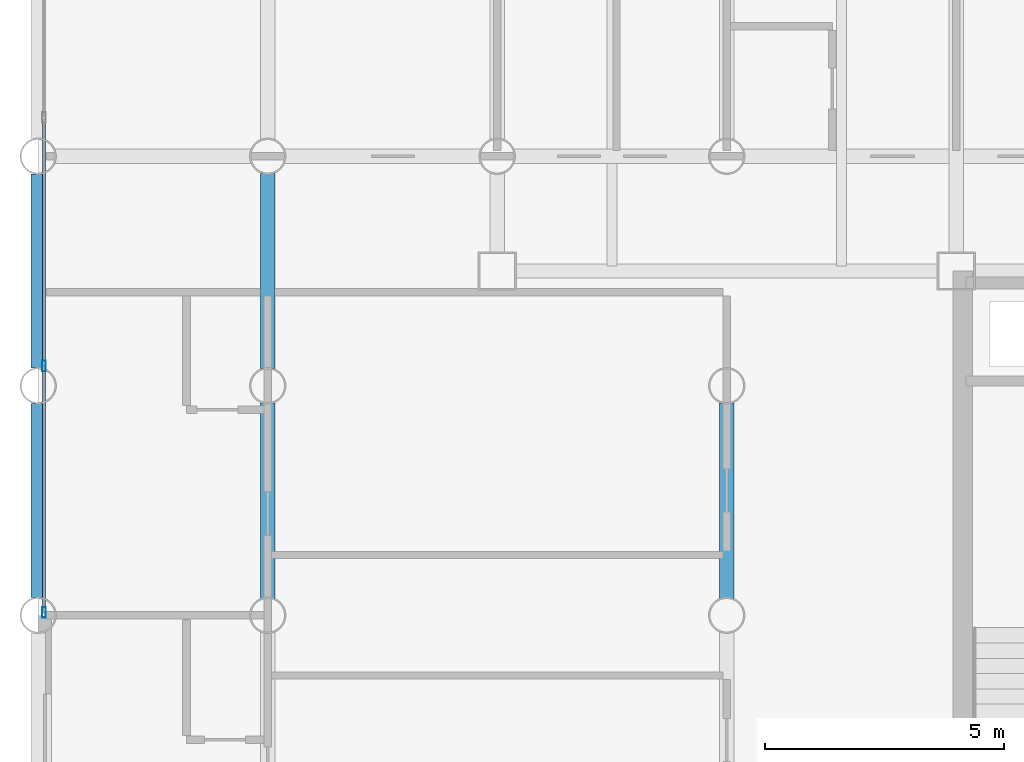
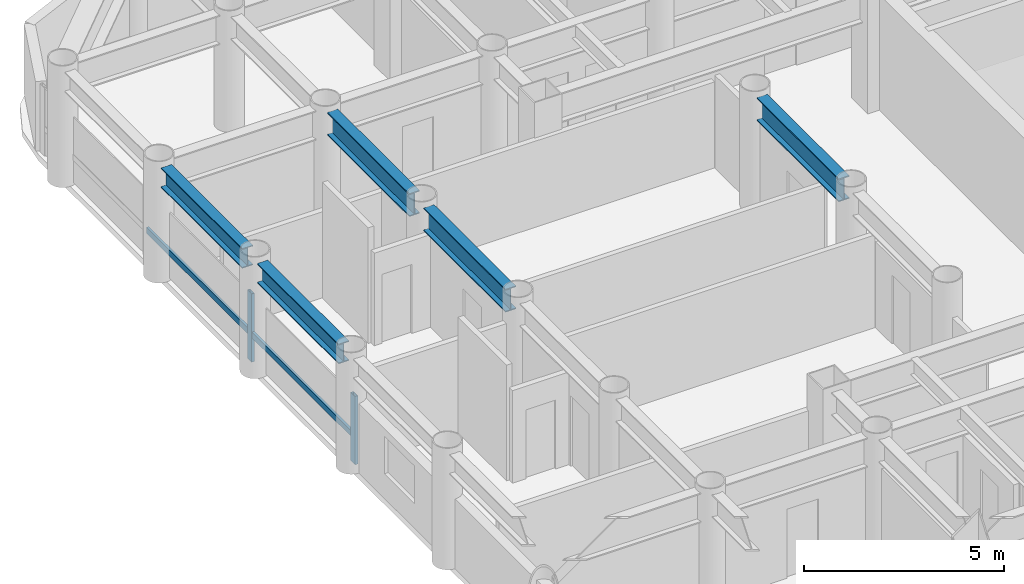
# One storey, part 4 of 22: 5 beams, 4 members, 1 element without a shape of its own.
"""IFC4 building model written with IfcOpenShell, lengths in metres."""

import ifcopenshell
import ifcopenshell.guid

model = None  # the IFC model being written
_history = None  # IfcOwnerHistory: only IFC2X3 demands one
_inside = {}  # id of a spatial element -> (the spatial element, [elements in it])
_under = {}  # id of a project, library or spatial element -> (it, [spatial elements below it])
_declared = {}  # id of a project -> (the project, [libraries it declares])
_typed = {}  # id of a type object -> (the type object, [elements of that type])
_made_of = {}  # id of a material, layer set ... -> (it, [elements and type objects made of it])


def new_model(schema):
    """Start an empty IFC model of exactly this schema.

    Asked for "IFC4X3", IfcOpenShell would pick the latest addendum, in which some entities
    have other attributes; the version numbers below select the first issue.
    IFC2X3 requires an IfcOwnerHistory on every rooted entity: one is made here for all.
    """
    global model, _history
    if schema == "IFC4X3":
        model = ifcopenshell.file(schema_version=(4, 3, 0, 0))
    else:
        model = ifcopenshell.file(schema=schema)
    _inside.clear()
    _under.clear()
    _declared.clear()
    _typed.clear()
    _made_of.clear()
    _history = None
    if model.schema == "IFC2X3":
        org = make("IfcOrganization", Name="unknown")
        user = make(
            "IfcPersonAndOrganization",
            ThePerson=make("IfcPerson", FamilyName="unknown"),
            TheOrganization=org,
        )
        app = make(
            "IfcApplication",
            ApplicationDeveloper=org,
            Version="unknown",
            ApplicationFullName="unknown",
            ApplicationIdentifier="unknown",
        )
        _history = make(
            "IfcOwnerHistory",
            OwningUser=user,
            OwningApplication=app,
            ChangeAction="ADDED",
            CreationDate=0,
        )
    return model


def make(cls, **values):
    """One entity of the class cls with the attributes given. An attribute that is None is left unset."""
    return model.create_entity(
        cls, **{name: value for name, value in values.items() if value is not None}
    )


def rooted(cls, **values):
    """An entity with a GlobalId (a new one), such as an element, a storey or a relation."""
    return make(cls, GlobalId=ifcopenshell.guid.new(), OwnerHistory=_history, **values)


def si_unit(unit_type, name, prefix=None):
    """IfcSIUnit, for example si_unit("LENGTHUNIT", "METRE", prefix="MILLI")."""
    return make("IfcSIUnit", UnitType=unit_type, Prefix=prefix, Name=name)


def assignment(units):
    """IfcUnitAssignment: the units of a project."""
    return None if units is None else make("IfcUnitAssignment", Units=units)


def point(xyz):
    """IfcCartesianPoint."""
    return None if xyz is None else make("IfcCartesianPoint", Coordinates=xyz)


def direction(xyz):
    """IfcDirection."""
    return None if xyz is None else make("IfcDirection", DirectionRatios=xyz)


def frame(location, z_axis=None, x_axis=None):
    """IfcAxis2Placement3D, a coordinate frame: its origin and axes. An axis left out is left unset."""
    return make(
        "IfcAxis2Placement3D",
        Location=point(location),
        Axis=direction(z_axis),
        RefDirection=direction(x_axis),
    )


def frame_2d(location, x_axis=None):
    """IfcAxis2Placement2D, a coordinate frame in the plane: its origin and x axis."""
    return make(
        "IfcAxis2Placement2D", Location=point(location), RefDirection=direction(x_axis)
    )


def origin():
    """The frame at (0, 0, 0) with its axes left unset."""
    return frame((0.0, 0.0, 0.0))


def origin_2d():
    """The frame at (0, 0) in the plane with its x axis left unset."""
    return frame_2d((0.0, 0.0))


def place(relative_to, where):
    """IfcLocalPlacement: puts the frame where relative to a parent placement (None: the world)."""
    return make(
        "IfcLocalPlacement", PlacementRelTo=relative_to, RelativePlacement=where
    )


def context(
    kind, dimensions, precision=None, world=None, true_north=None, identifier=None
):
    """IfcGeometricRepresentationContext, for example the 3D "Model" context."""
    return make(
        "IfcGeometricRepresentationContext",
        ContextIdentifier=identifier,
        ContextType=kind,
        CoordinateSpaceDimension=dimensions,
        Precision=precision,
        WorldCoordinateSystem=world,
        TrueNorth=true_north,
    )


def subcontext(parent, identifier, kind, view, scale=None):
    """IfcGeometricRepresentationSubContext, for example "Body" below "Model"."""
    return make(
        "IfcGeometricRepresentationSubContext",
        ContextIdentifier=identifier,
        ContextType=kind,
        ParentContext=parent,
        TargetScale=scale,
        TargetView=view,
    )


def project(units=None, contexts=None):
    """IfcProject with its units and contexts."""
    return rooted(
        "IfcProject",
        Name="project",
        RepresentationContexts=contexts,
        UnitsInContext=assignment(units),
    )


def spatial(cls, under=None, at=None, **own):
    """A site, building, storey or space (cls), placed at a placement, below another one or the project."""
    s = rooted(cls, ObjectPlacement=at, **own)
    if under is not None:
        _under.setdefault(under.id(), (under, []))[1].append(s)
    return s


def profile(cls, at=None, kind="AREA", **sizes):
    """A parametric profile (cls). Its sizes go by their IFC names, for example OverallWidth=200.0."""
    return make(cls, ProfileType=kind, Position=at, **sizes)


def hollow_rectangle(**sizes):
    """IfcRectangleHollowProfileDef."""
    return profile("IfcRectangleHollowProfileDef", **sizes)


def i_section(**sizes):
    """IfcIShapeProfileDef."""
    return profile("IfcIShapeProfileDef", **sizes)


def extrude(swept, where, along, depth):
    """IfcExtrudedAreaSolid: the profile swept, set in the frame where, extruded along a direction by depth."""
    return make(
        "IfcExtrudedAreaSolid",
        SweptArea=swept,
        Position=where,
        ExtrudedDirection=direction(along),
        Depth=depth,
    )


def shape(context_of_items, identifier, shape_type, items):
    """IfcShapeRepresentation: the items that make up one representation, for example the "Body"."""
    return make(
        "IfcShapeRepresentation",
        ContextOfItems=context_of_items,
        RepresentationIdentifier=identifier,
        RepresentationType=shape_type,
        Items=items,
    )


def material(Name=None, Category=None):
    """IfcMaterial."""
    return make("IfcMaterial", Name=Name, Category=Category)


def layer(
    of_material, thickness, ventilated=None, Name=None, Category=None, Priority=None
):
    """IfcMaterialLayer: one layer of a wall or slab, of a material (None: an air gap)."""
    return make(
        "IfcMaterialLayer",
        Material=of_material,
        LayerThickness=thickness,
        IsVentilated=ventilated,
        Name=Name,
        Category=Category,
        Priority=Priority,
    )


def layer_set(layers, Name=None):
    """IfcMaterialLayerSet."""
    return make("IfcMaterialLayerSet", MaterialLayers=layers, LayerSetName=Name)


def material_profile(
    of_material, cross_section, Name=None, Category=None, Priority=None
):
    """IfcMaterialProfile: a cross section and its material."""
    return make(
        "IfcMaterialProfile",
        Name=Name,
        Material=of_material,
        Profile=cross_section,
        Priority=Priority,
        Category=Category,
    )


def profile_set(profiles, Name=None, composite=None):
    """IfcMaterialProfileSet."""
    return make(
        "IfcMaterialProfileSet",
        Name=Name,
        MaterialProfiles=profiles,
        CompositeProfile=composite,
    )


def made_of(thing, what):
    """Note that an element or type object is made of a material, layer set ...; save() writes the relation."""
    if what is not None:
        _made_of.setdefault(what.id(), (what, []))[1].append(thing)
    return thing


def type_object(cls, material=None, **own):
    """A type object (cls), such as IfcWallType, which elements share."""
    return made_of(rooted(cls, **own), material)


def element(
    cls,
    number,
    at=None,
    inside=None,
    cuts=None,
    type_object=None,
    material=None,
    context=None,
    identifier="Body",
    shape_type=None,
    held_by="IfcProductDefinitionShape",
    body=None,
    shapes=None,
    **own,
):
    """One element of the class cls, such as IfcWall. Its Tag is "e" and its number.

    at: its placement. inside: the storey or other place that contains it. cuts: it is an
    opening in that element (IfcRelVoidsElement). A single representation is given by context,
    identifier, shape_type and body (its items); several are given by shapes. held_by: the class
    of the entity that holds the representations. save() writes the other relations.
    """
    e = rooted(cls, Tag="e%d" % number, ObjectPlacement=at, **own)
    if body is not None:
        shapes = [shape(context, identifier, shape_type, body)]
    if shapes is not None:
        e.Representation = make(held_by, Representations=shapes)
    if inside is not None:
        _inside.setdefault(inside.id(), (inside, []))[1].append(e)
    if cuts is not None:
        rooted(
            "IfcRelVoidsElement", RelatingBuildingElement=cuts, RelatedOpeningElement=e
        )
    if type_object is not None:
        _typed.setdefault(type_object.id(), (type_object, []))[1].append(e)
    return made_of(e, material)


def aggregate(whole, parts):
    """IfcRelAggregates: a whole, such as a stair, and the parts it consists of."""
    return rooted("IfcRelAggregates", RelatingObject=whole, RelatedObjects=parts)


def save(model, path):
    """Write the relations noted so far, then the file.

    IfcRelAggregates (storeys below a building ...), IfcRelContainedInSpatialStructure (elements
    in a storey), IfcRelDefinesByType, IfcRelAssociatesMaterial and IfcRelDeclares: one each for
    every whole, place, type object, material and project.
    """
    for whole, parts in _under.values():
        aggregate(whole, parts)
    for where, things in _inside.values():
        rooted(
            "IfcRelContainedInSpatialStructure",
            RelatedElements=things,
            RelatingStructure=where,
        )
    for kind, things in _typed.values():
        rooted("IfcRelDefinesByType", RelatedObjects=things, RelatingType=kind)
    for what, things in _made_of.values():
        rooted("IfcRelAssociatesMaterial", RelatedObjects=things, RelatingMaterial=what)
    for by, libraries in _declared.values():
        rooted("IfcRelDeclares", RelatingContext=by, RelatedDefinitions=libraries)
    model.write(path)


model = new_model("IFC4")

# Units and contexts
model_context = context("Model", 3, precision=1e-05, world=origin(), true_north=direction((0.0, 1.0)))
body_context = subcontext(model_context, "Body", "Model", "MODEL_VIEW")
ifc_project = project(units=[si_unit("LENGTHUNIT", "METRE"), si_unit("AREAUNIT", "SQUARE_METRE"), si_unit("VOLUMEUNIT", "CUBIC_METRE"), si_unit("PLANEANGLEUNIT", "RADIAN"), si_unit("MASSUNIT", "GRAM", prefix="KILO")], contexts=[model_context])

# Site, building, storey
site_placement = place(None, origin())
site = spatial("IfcSite", under=ifc_project, at=site_placement, CompositionType="ELEMENT")
building_placement = place(site_placement, origin())
building = spatial("IfcBuilding", under=site, at=building_placement, Name="Kallvorn Hotel Tower", CompositionType="ELEMENT")
storey_placement = place(building_placement, frame((0.0, 0.0, 33.699951171875)))
storey = spatial("IfcBuildingStorey", under=building, at=storey_placement, Name="L06", CompositionType="ELEMENT", Elevation=33.699951171875)

# Beams
ifc_material_1 = material(Name="Structural steel S355JR", Category="steel")
ifc_material_profile_1 = material_profile(ifc_material_1, i_section(OverallWidth=0.300048828125, OverallDepth=0.60009765625, WebThickness=0.015380859375, FlangeThickness=0.030029296875, at=origin_2d()), Name="HE 600 B")
ifc_profile_set_1 = profile_set([ifc_material_profile_1], Name="Structural steel S355JR")
beam_type_1 = type_object("IfcBeamType", Name="BM_HE600B", PredefinedType="SPANDREL", material=ifc_profile_set_1)
beam_1_placement = place(storey_placement, frame((-33.60009765625, 0.37109375, 3.219970703125), z_axis=(0.0, 1.0, 0.0), x_axis=(-1.0, 0.0, 0.0)))
element("IfcBeam", 1, at=beam_1_placement, inside=storey, type_object=beam_type_1, Name="L07 Perimeter Spandrel 178", PredefinedType="SPANDREL", context=body_context, shape_type="SweptSolid", body=[
    extrude(i_section(OverallWidth=0.300048828125, OverallDepth=0.60009765625, WebThickness=0.015380859375, FlangeThickness=0.030029296875, at=origin_2d()), origin(), (0.0, 0.0, 1.0), 4.057861328125),
])
beam_2_placement = place(storey_placement, frame((-33.60009765625, 5.1708984375, 3.219970703125), z_axis=(0.0, 1.0, 0.0), x_axis=(-1.0, 0.0, 0.0)))
element("IfcBeam", 2, at=beam_2_placement, inside=storey, type_object=beam_type_1, Name="L07 Perimeter Spandrel 179", PredefinedType="SPANDREL", context=body_context, shape_type="SweptSolid", body=[
    extrude(i_section(OverallWidth=0.300048828125, OverallDepth=0.60009765625, WebThickness=0.015380859375, FlangeThickness=0.030029296875, at=origin_2d()), origin(), (0.0, 0.0, 1.0), 4.05810546875),
])
ifc_material_2 = material(Name="Structural steel S355JR", Category="steel")
ifc_material_profile_2 = material_profile(ifc_material_2, i_section(OverallWidth=0.300048828125, OverallDepth=0.699951171875, WebThickness=0.01708984375, FlangeThickness=0.031982421875, at=origin_2d()), Name="HE 700 B")
ifc_profile_set_2 = profile_set([ifc_material_profile_2], Name="Structural steel S355JR")
beam_type_2 = type_object("IfcBeamType", Name="BM_HE700B", PredefinedType="BEAM", material=ifc_profile_set_2)
beam_3_placement = place(storey_placement, frame((-28.800048828125, 0.35595703125, 3.170166015625), z_axis=(0.0, 1.0, 0.0), x_axis=(-1.0, 0.0, 0.0)))
element("IfcBeam", 3, at=beam_3_placement, inside=storey, type_object=beam_type_2, Name="L07 Primary Y-Girder 78", PredefinedType="BEAM", context=body_context, shape_type="SweptSolid", body=[
    extrude(i_section(OverallWidth=0.300048828125, OverallDepth=0.699951171875, WebThickness=0.01708984375, FlangeThickness=0.031982421875, at=origin_2d()), origin(), (0.0, 0.0, 1.0), 4.088134765625),
])
beam_4_placement = place(storey_placement, frame((-28.800048828125, 5.156005859375, 3.170166015625), z_axis=(0.0, 1.0, 0.0), x_axis=(-1.0, 0.0, 0.0)))
element("IfcBeam", 4, at=beam_4_placement, inside=storey, type_object=beam_type_2, Name="L07 Primary Y-Girder 79", PredefinedType="BEAM", context=body_context, shape_type="SweptSolid", body=[
    extrude(i_section(OverallWidth=0.300048828125, OverallDepth=0.699951171875, WebThickness=0.01708984375, FlangeThickness=0.031982421875, at=origin_2d()), origin(), (0.0, 0.0, 1.0), 4.087890625),
])
beam_5_placement = place(storey_placement, frame((-19.199951171875, 0.35595703125, 3.170166015625), z_axis=(0.0, 1.0, 0.0), x_axis=(-1.0, 0.0, 0.0)))
element("IfcBeam", 5, at=beam_5_placement, inside=storey, type_object=beam_type_2, Name="L07 Primary Y-Girder 94", PredefinedType="BEAM", context=body_context, shape_type="SweptSolid", body=[
    extrude(i_section(OverallWidth=0.300048828125, OverallDepth=0.699951171875, WebThickness=0.01708984375, FlangeThickness=0.031982421875, at=origin_2d()), origin(), (0.0, 0.0, 1.0), 4.088134765625),
])

# Curtain wall, members
ifc_material_3 = material(Name="Thermally broken black-anodised aluminium AA 6063-T6", Category="aluminium")
ifc_layer = layer(ifc_material_3, 0.199951171875)
ifc_layer_set = layer_set([ifc_layer], Name="CW_SYS_3_HOTEL_LOW")
curtain_wall_type = type_object("IfcCurtainWallType", Name="CW_SYS_3_HOTEL_LOW", PredefinedType="USERDEFINED", material=ifc_layer_set)
curtain_wall_placement = place(storey_placement, origin())
curtain_wall = element("IfcCurtainWall", 6, at=curtain_wall_placement, inside=storey, type_object=curtain_wall_type, Name="L06 Dark-Glass Curtain Wall CW-L06-WN", ObjectType="UNITISED CURTAIN WALL", PredefinedType="USERDEFINED")
ifc_material_4 = material(Name="Thermally broken black-anodised aluminium AA 6063-T6", Category="aluminium")
ifc_material_profile_3 = material_profile(ifc_material_4, hollow_rectangle(XDim=0.080078125, YDim=0.219970703125, WallThickness=0.0048828125, at=origin_2d()), Name="MUL 220x80")
ifc_profile_set_3 = profile_set([ifc_material_profile_3], Name="Thermally broken black-anodised aluminium AA 6063-T6")
member_type_1 = type_object("IfcMemberType", Name="CW_MULLION_220x80", PredefinedType="MULLION", material=ifc_profile_set_3)
member_1_placement = place(storey_placement, frame((-33.47998046875, 0.06005859375, 0.02001953125), z_axis=(0.0, 0.0, 1.0), x_axis=(1.0, 0.0, 0.0)))
member_1 = element("IfcMember", 7, at=member_1_placement, type_object=member_type_1, Name="CW-L06-WN Mullion 00", PredefinedType="MULLION", context=body_context, shape_type="SweptSolid", body=[
    extrude(hollow_rectangle(XDim=0.080078125, YDim=0.219970703125, WallThickness=0.0048828125, at=origin_2d()), origin(), (0.0, 0.0, 1.0), 2.080078125),
])
member_2_placement = place(storey_placement, frame((-33.47998046875, 5.21337890625, 0.02001953125), z_axis=(0.0, 0.0, 1.0), x_axis=(1.0, 0.0, 0.0)))
member_2 = element("IfcMember", 8, at=member_2_placement, type_object=member_type_1, Name="CW-L06-WN Mullion 01", PredefinedType="MULLION", context=body_context, shape_type="SweptSolid", body=[
    extrude(hollow_rectangle(XDim=0.080078125, YDim=0.219970703125, WallThickness=0.0048828125, at=origin_2d()), origin(), (0.0, 0.0, 1.0), 2.080078125),
])
ifc_material_5 = material(Name="Thermally broken black-anodised aluminium AA 6063-T6", Category="aluminium")
ifc_material_profile_4 = material_profile(ifc_material_5, hollow_rectangle(XDim=0.070068359375, YDim=0.179931640625, WallThickness=0.00390625, at=origin_2d()), Name="TRN 180x70")
ifc_profile_set_4 = profile_set([ifc_material_profile_4], Name="Thermally broken black-anodised aluminium AA 6063-T6")
member_type_2 = type_object("IfcMemberType", Name="CW_TRANSOM_180x70", PredefinedType="USERDEFINED", material=ifc_profile_set_4)
member_3_placement = place(storey_placement, frame((-33.47998046875, 0.06005859375, 0.85009765625), z_axis=(0.0, 1.0, 0.0), x_axis=(-1.0, 0.0, 0.0)))
member_3 = element("IfcMember", 9, at=member_3_placement, type_object=member_type_2, Name="CW-L06-WN Transom 00M", ObjectType="TRANSOM", PredefinedType="USERDEFINED", context=body_context, shape_type="SweptSolid", body=[
    extrude(hollow_rectangle(XDim=0.070068359375, YDim=0.179931640625, WallThickness=0.00390625, at=origin_2d()), origin(), (0.0, 0.0, 1.0), 5.11328125),
])
member_4_placement = place(storey_placement, frame((-33.47998046875, 5.25341796875, 0.85009765625), z_axis=(0.0, 1.0, 0.0), x_axis=(-1.0, 0.0, 0.0)))
member_4 = element("IfcMember", 10, at=member_4_placement, type_object=member_type_2, Name="CW-L06-WN Transom 01M", ObjectType="TRANSOM", PredefinedType="USERDEFINED", context=body_context, shape_type="SweptSolid", body=[
    extrude(hollow_rectangle(XDim=0.070068359375, YDim=0.179931640625, WallThickness=0.00390625, at=origin_2d()), origin(), (0.0, 0.0, 1.0), 5.11328125),
])
aggregate(curtain_wall, [member_1, member_2, member_3, member_4])

save(model, "model.ifc")
